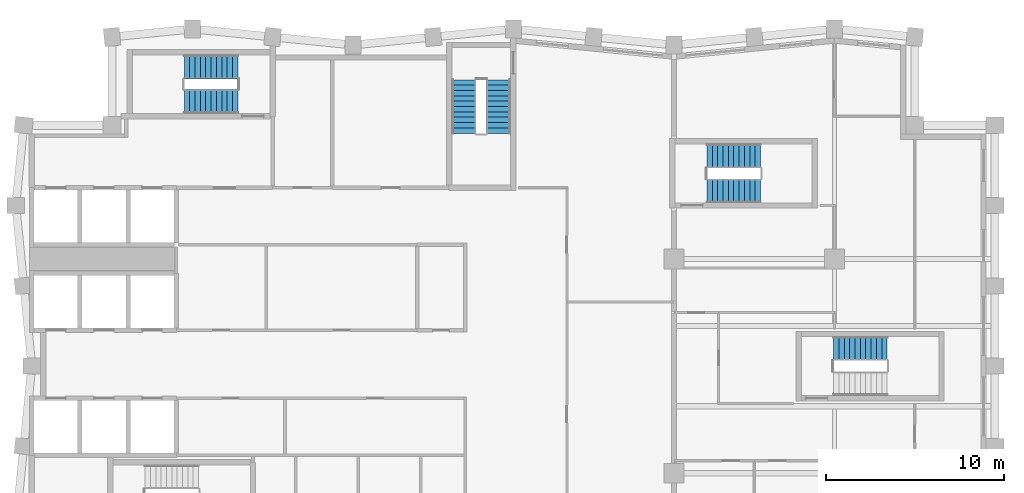
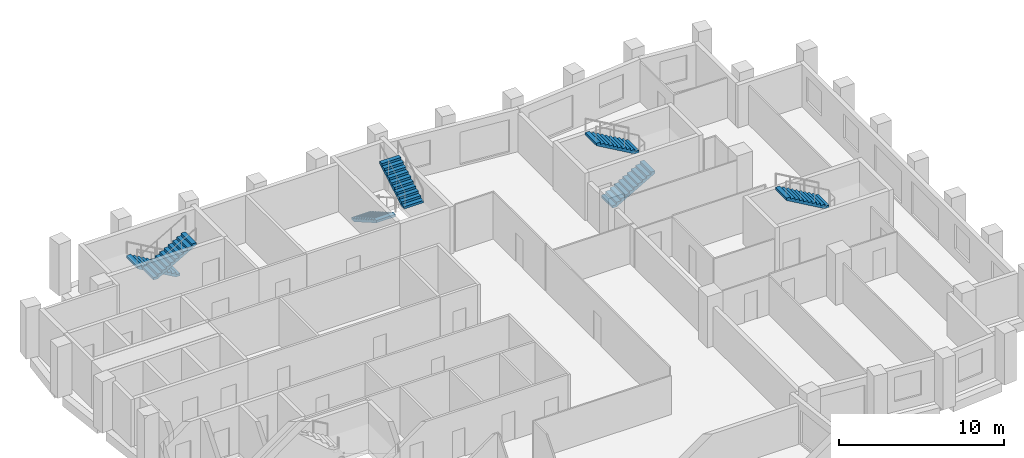
# One storey, part 7 of 8: 7 stair flights, 4 elements without a shape of their own.
"""IFC4 building model written with IfcOpenShell, lengths in metres."""

from ifc_helpers import new_model, si_unit, direction, frame, origin, place, context, subcontext, project, spatial, polyline, outline, extrude, material, type_object, element, aggregate, save


model = new_model("IFC4")

# Units and contexts
model_context = context("Model", 3, precision=1e-05, world=origin(), true_north=direction((0.0, 1.0)))
body_context = subcontext(model_context, "Body", "Model", "MODEL_VIEW")
ifc_project = project(units=[si_unit("LENGTHUNIT", "METRE"), si_unit("AREAUNIT", "SQUARE_METRE"), si_unit("VOLUMEUNIT", "CUBIC_METRE"), si_unit("PLANEANGLEUNIT", "RADIAN"), si_unit("MASSUNIT", "GRAM", prefix="KILO")], contexts=[model_context])

# Site, building, storey
site_placement = place(None, origin())
site = spatial("IfcSite", under=ifc_project, at=site_placement, CompositionType="ELEMENT")
building_placement = place(site_placement, origin())
building = spatial("IfcBuilding", under=site, at=building_placement, Name="Brondeck Convention Tower", CompositionType="ELEMENT")
storey_placement = place(building_placement, frame((0.0, 0.0, 225.39990234375)))
storey = spatial("IfcBuildingStorey", under=building, at=storey_placement, Name="L55", CompositionType="ELEMENT", Elevation=225.39990234375)

# Stair, stair flights
ifc_material = material(Name="Precast concrete C50/60", Category="concrete")
stair_type = type_object("IfcStairType", Name="Core stair 22 risers 172.73 mm riser 300 mm going 1350 wide", PredefinedType="HALF_TURN_STAIR", material=ifc_material)
stair_1_placement = place(storey_placement, origin())
stair_1 = element("IfcStair", 1, at=stair_1_placement, inside=storey, type_object=stair_type, Name="ST-2 L55 stair", PredefinedType="HALF_TURN_STAIR")
stair_flight_type = type_object("IfcStairFlightType", Name="Core stair flight 22 risers 172.73 mm riser 300 mm going 1350 wide", PredefinedType="STRAIGHT", material=ifc_material)
stair_flight_1_placement = place(storey_placement, frame((24.22509765625, 61.050048828125, 0.0), z_axis=(0.0, 0.0, 1.0), x_axis=(0.0, -1.0, 0.0)))
stair_flight_1 = element("IfcStairFlight", 2, at=stair_flight_1_placement, type_object=stair_flight_type, Name="ST-2 flight 1", NumberOfRisers=11, NumberOfTreads=10, PredefinedType="STRAIGHT", RiserHeight=0.172727273, TreadLength=0.3, context=body_context, shape_type="SweptSolid", body=[
    extrude(outline(polyline([(0.0, 0.0), (0.0, 0.172607421875), (0.300048828125, 0.172607421875), (0.300048828125, 0.345458984375), (0.60009765625, 0.345458984375), (0.60009765625, 0.51806640625), (0.89990234375, 0.51806640625), (0.89990234375, 0.69091796875), (1.199951171875, 0.69091796875), (1.199951171875, 0.863525390625), (1.5, 0.863525390625), (1.5, 1.036376953125), (1.800048828125, 1.036376953125), (1.800048828125, 1.208984375), (2.10009765625, 1.208984375), (2.10009765625, 1.3818359375), (2.39990234375, 1.3818359375), (2.39990234375, 1.554443359375), (2.699951171875, 1.554443359375), (2.699951171875, 1.727294921875), (3.0, 1.727294921875), (3.0, 1.89990234375), (3.0, 1.55419921875), (0.300537109375, 0.0), (0.0, 0.0)])), frame((0.0, 0.675048828125, 0.0), z_axis=(0.0, -1.0, 0.0), x_axis=(1.0, 0.0, 0.0)), (0.0, 0.0, 1.0), 1.35009765625),
])
stair_flight_2_placement = place(storey_placement, frame((26.175048828125, 58.050048828125, 1.900146484375), z_axis=(0.0, 0.0, 1.0), x_axis=(0.0, 1.0, 0.0)))
stair_flight_2 = element("IfcStairFlight", 3, at=stair_flight_2_placement, type_object=stair_flight_type, Name="ST-2 flight 2", NumberOfRisers=11, NumberOfTreads=10, PredefinedType="STRAIGHT", RiserHeight=0.172727273, TreadLength=0.3, context=body_context, shape_type="SweptSolid", body=[
    extrude(outline(polyline([(0.0, 0.0), (0.0, 0.172607421875), (0.300048828125, 0.172607421875), (0.300048828125, 0.345458984375), (0.60009765625, 0.345458984375), (0.60009765625, 0.51806640625), (0.89990234375, 0.51806640625), (0.89990234375, 0.69091796875), (1.199951171875, 0.69091796875), (1.199951171875, 0.863525390625), (1.5, 0.863525390625), (1.5, 1.036376953125), (1.800048828125, 1.036376953125), (1.800048828125, 1.208984375), (2.10009765625, 1.208984375), (2.10009765625, 1.3818359375), (2.39990234375, 1.3818359375), (2.39990234375, 1.554443359375), (2.699951171875, 1.554443359375), (2.699951171875, 1.727294921875), (3.0, 1.727294921875), (3.0, 1.89990234375), (3.0, 1.55419921875), (0.300537109375, 0.0), (0.0, 0.0)])), frame((0.0, 0.675048828125, 0.0), z_axis=(0.0, -1.0, 0.0), x_axis=(1.0, 0.0, 0.0)), (0.0, 0.0, 1.0), 1.35009765625),
])
aggregate(stair_1, [stair_flight_1, stair_flight_2])

stair_2_placement = place(storey_placement, origin())
stair_2 = element("IfcStair", 4, at=stair_2_placement, inside=storey, type_object=stair_type, Name="ST-3 L55 stair", PredefinedType="HALF_TURN_STAIR")
stair_flight_3_placement = place(storey_placement, frame((11.550048828125, 61.77490234375, 0.0), z_axis=(0.0, 0.0, 1.0), x_axis=(-1.0, 0.0, 0.0)))
stair_flight_3 = element("IfcStairFlight", 5, at=stair_flight_3_placement, type_object=stair_flight_type, Name="ST-3 flight 1", NumberOfRisers=11, NumberOfTreads=10, PredefinedType="STRAIGHT", RiserHeight=0.172727273, TreadLength=0.3, context=body_context, shape_type="SweptSolid", body=[
    extrude(outline(polyline([(0.0, 0.0), (0.0, 0.172607421875), (0.300048828125, 0.172607421875), (0.300048828125, 0.345458984375), (0.60009765625, 0.345458984375), (0.60009765625, 0.51806640625), (0.89990234375, 0.51806640625), (0.89990234375, 0.69091796875), (1.199951171875, 0.69091796875), (1.199951171875, 0.863525390625), (1.5, 0.863525390625), (1.5, 1.036376953125), (1.800048828125, 1.036376953125), (1.800048828125, 1.208984375), (2.10009765625, 1.208984375), (2.10009765625, 1.3818359375), (2.39990234375, 1.3818359375), (2.39990234375, 1.554443359375), (2.699951171875, 1.554443359375), (2.699951171875, 1.727294921875), (3.0, 1.727294921875), (3.0, 1.89990234375), (3.0, 1.55419921875), (0.300537109375, 0.0), (0.0, 0.0)])), frame((0.0, 0.675048828125, 0.0), z_axis=(0.0, -1.0, 0.0), x_axis=(1.0, 0.0, 0.0)), (0.0, 0.0, 1.0), 1.35009765625),
])
stair_flight_4_placement = place(storey_placement, frame((8.550048828125, 59.824951171875, 1.900146484375), z_axis=(0.0, 0.0, 1.0), x_axis=(1.0, 0.0, 0.0)))
stair_flight_4 = element("IfcStairFlight", 6, at=stair_flight_4_placement, type_object=stair_flight_type, Name="ST-3 flight 2", NumberOfRisers=11, NumberOfTreads=10, PredefinedType="STRAIGHT", RiserHeight=0.172727273, TreadLength=0.3, context=body_context, shape_type="SweptSolid", body=[
    extrude(outline(polyline([(0.0, 0.0), (0.0, 0.172607421875), (0.300048828125, 0.172607421875), (0.300048828125, 0.345458984375), (0.60009765625, 0.345458984375), (0.60009765625, 0.51806640625), (0.89990234375, 0.51806640625), (0.89990234375, 0.69091796875), (1.199951171875, 0.69091796875), (1.199951171875, 0.863525390625), (1.5, 0.863525390625), (1.5, 1.036376953125), (1.800048828125, 1.036376953125), (1.800048828125, 1.208984375), (2.10009765625, 1.208984375), (2.10009765625, 1.3818359375), (2.39990234375, 1.3818359375), (2.39990234375, 1.554443359375), (2.699951171875, 1.554443359375), (2.699951171875, 1.727294921875), (3.0, 1.727294921875), (3.0, 1.89990234375), (3.0, 1.55419921875), (0.300537109375, 0.0), (0.0, 0.0)])), frame((0.0, 0.675048828125, 0.0), z_axis=(0.0, -1.0, 0.0), x_axis=(1.0, 0.0, 0.0)), (0.0, 0.0, 1.0), 1.35009765625),
])
aggregate(stair_2, [stair_flight_3, stair_flight_4])

stair_3_placement = place(storey_placement, origin())
stair_3 = element("IfcStair", 7, at=stair_3_placement, inside=storey, type_object=stair_type, Name="ST-AE L55 stair", PredefinedType="HALF_TURN_STAIR")
stair_flight_5_placement = place(storey_placement, frame((37.85009765625, 54.824951171875, 0.0), z_axis=(0.0, 0.0, 1.0), x_axis=(1.0, 0.0, 0.0)))
stair_flight_5 = element("IfcStairFlight", 8, at=stair_flight_5_placement, type_object=stair_flight_type, Name="ST-AE flight 1", NumberOfRisers=11, NumberOfTreads=10, PredefinedType="STRAIGHT", RiserHeight=0.172727273, TreadLength=0.3, context=body_context, shape_type="SweptSolid", body=[
    extrude(outline(polyline([(0.0, 0.0), (0.0, 0.172607421875), (0.300048828125, 0.172607421875), (0.300048828125, 0.345458984375), (0.60009765625, 0.345458984375), (0.60009765625, 0.51806640625), (0.89990234375, 0.51806640625), (0.89990234375, 0.69091796875), (1.199951171875, 0.69091796875), (1.199951171875, 0.863525390625), (1.5, 0.863525390625), (1.5, 1.036376953125), (1.800048828125, 1.036376953125), (1.800048828125, 1.208984375), (2.10009765625, 1.208984375), (2.10009765625, 1.3818359375), (2.39990234375, 1.3818359375), (2.39990234375, 1.554443359375), (2.699951171875, 1.554443359375), (2.699951171875, 1.727294921875), (3.0, 1.727294921875), (3.0, 1.89990234375), (3.0, 1.55419921875), (0.300537109375, 0.0), (0.0, 0.0)])), frame((0.0, 0.675048828125, 0.0), z_axis=(0.0, -1.0, 0.0), x_axis=(1.0, 0.0, 0.0)), (0.0, 0.0, 1.0), 1.35009765625),
])
stair_flight_6_placement = place(storey_placement, frame((40.85009765625, 56.77490234375, 1.900146484375), z_axis=(0.0, 0.0, 1.0), x_axis=(-1.0, 0.0, 0.0)))
stair_flight_6 = element("IfcStairFlight", 9, at=stair_flight_6_placement, type_object=stair_flight_type, Name="ST-AE flight 2", NumberOfRisers=11, NumberOfTreads=10, PredefinedType="STRAIGHT", RiserHeight=0.172727273, TreadLength=0.3, context=body_context, shape_type="SweptSolid", body=[
    extrude(outline(polyline([(0.0, 0.0), (0.0, 0.172607421875), (0.300048828125, 0.172607421875), (0.300048828125, 0.345458984375), (0.60009765625, 0.345458984375), (0.60009765625, 0.51806640625), (0.89990234375, 0.51806640625), (0.89990234375, 0.69091796875), (1.199951171875, 0.69091796875), (1.199951171875, 0.863525390625), (1.5, 0.863525390625), (1.5, 1.036376953125), (1.800048828125, 1.036376953125), (1.800048828125, 1.208984375), (2.10009765625, 1.208984375), (2.10009765625, 1.3818359375), (2.39990234375, 1.3818359375), (2.39990234375, 1.554443359375), (2.699951171875, 1.554443359375), (2.699951171875, 1.727294921875), (3.0, 1.727294921875), (3.0, 1.89990234375), (3.0, 1.55419921875), (0.300537109375, 0.0), (0.0, 0.0)])), frame((0.0, 0.675048828125, 0.0), z_axis=(0.0, -1.0, 0.0), x_axis=(1.0, 0.0, 0.0)), (0.0, 0.0, 1.0), 1.35009765625),
])
aggregate(stair_3, [stair_flight_5, stair_flight_6])

# Stair, stair flight
stair_4_placement = place(storey_placement, origin())
stair_4 = element("IfcStair", 10, at=stair_4_placement, inside=storey, type_object=stair_type, Name="ST-AF L55 stair", PredefinedType="HALF_TURN_STAIR")
stair_flight_7_placement = place(storey_placement, frame((47.949951171875, 45.97509765625, 1.900146484375), z_axis=(0.0, 0.0, 1.0), x_axis=(-1.0, 0.0, 0.0)))
stair_flight_7 = element("IfcStairFlight", 11, at=stair_flight_7_placement, type_object=stair_flight_type, Name="ST-AF flight 2", NumberOfRisers=11, NumberOfTreads=10, PredefinedType="STRAIGHT", RiserHeight=0.172727273, TreadLength=0.3, context=body_context, shape_type="SweptSolid", body=[
    extrude(outline(polyline([(0.0, 0.0), (0.0, 0.172607421875), (0.300048828125, 0.172607421875), (0.300048828125, 0.345458984375), (0.60009765625, 0.345458984375), (0.60009765625, 0.51806640625), (0.89990234375, 0.51806640625), (0.89990234375, 0.69091796875), (1.199951171875, 0.69091796875), (1.199951171875, 0.863525390625), (1.5, 0.863525390625), (1.5, 1.036376953125), (1.800048828125, 1.036376953125), (1.800048828125, 1.208984375), (2.10009765625, 1.208984375), (2.10009765625, 1.3818359375), (2.39990234375, 1.3818359375), (2.39990234375, 1.554443359375), (2.699951171875, 1.554443359375), (2.699951171875, 1.727294921875), (3.0, 1.727294921875), (3.0, 1.89990234375), (3.0, 1.55419921875), (0.300537109375, 0.0), (0.0, 0.0)])), frame((0.0, 0.675048828125, 0.0), z_axis=(0.0, -1.0, 0.0), x_axis=(1.0, 0.0, 0.0)), (0.0, 0.0, 1.0), 1.35009765625),
])
aggregate(stair_4, [stair_flight_7])

save(model, "model.ifc")
